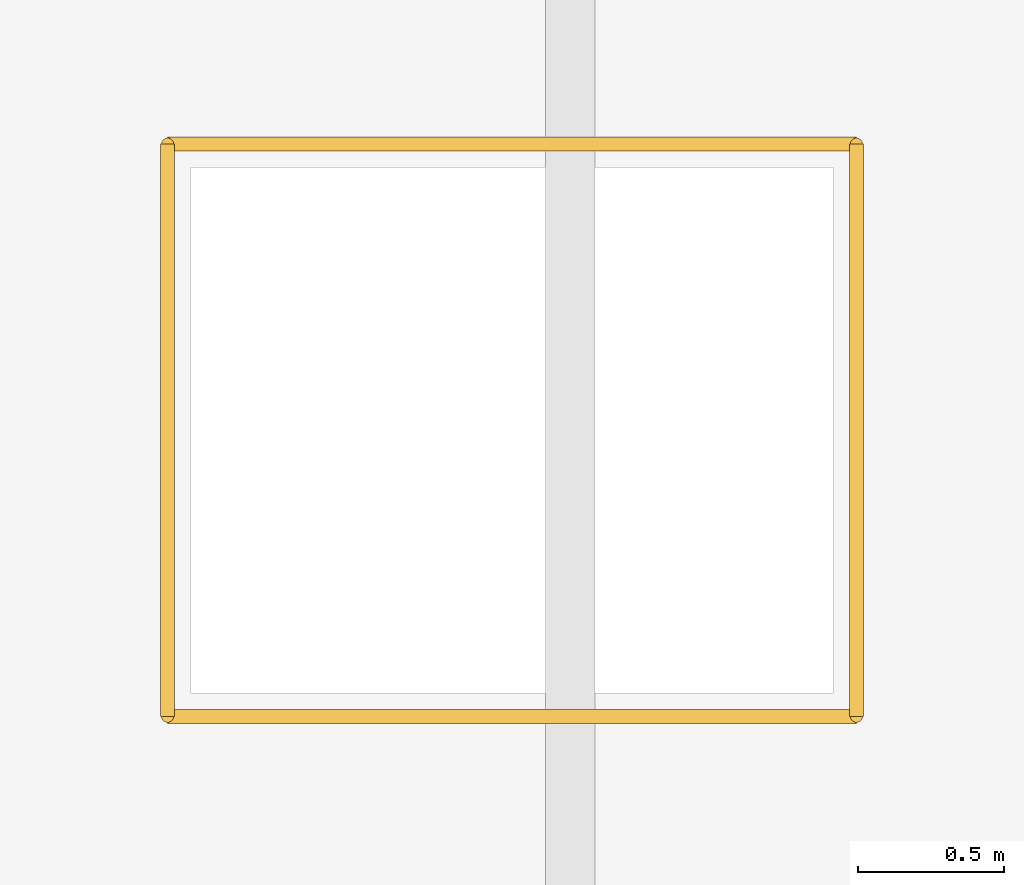
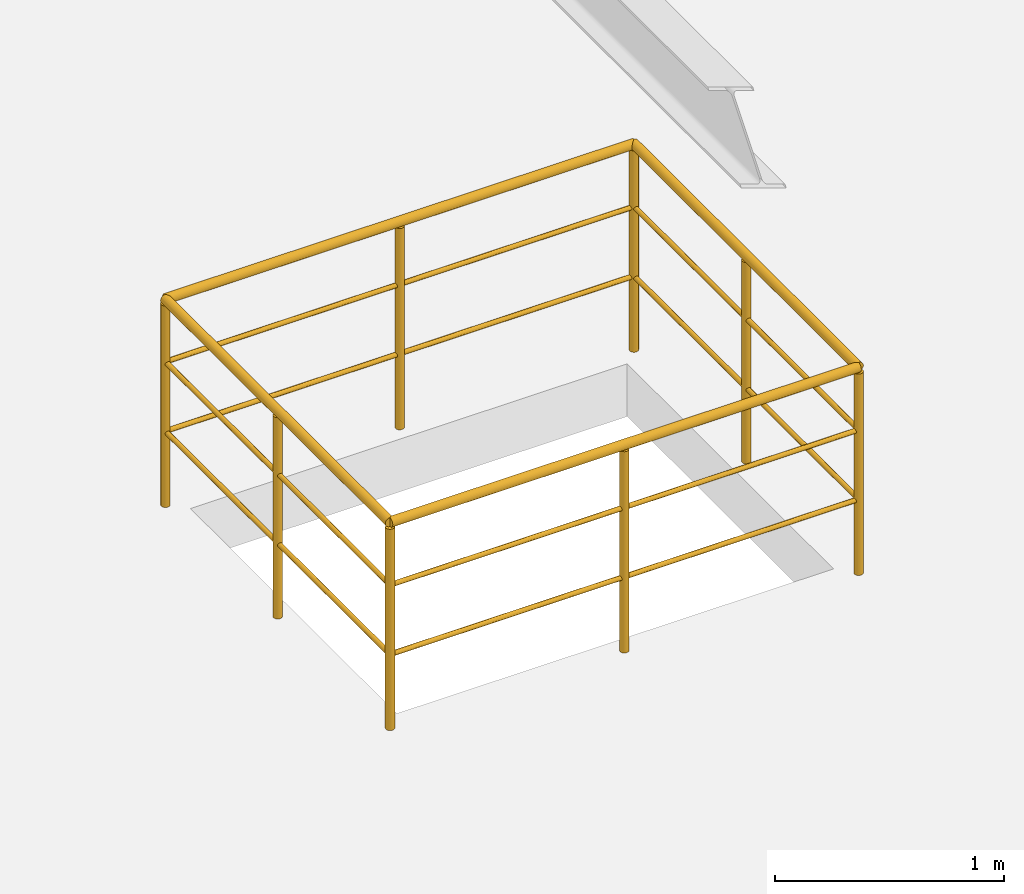
# One storey, part 67 of 74: 4 railings.
"""IFC4 building model written with IfcOpenShell, lengths in metres."""

from ifc_helpers import new_model, si_unit, direction, frame, origin, origin_2d, place, context, subcontext, project, spatial, circle, extrude, material, type_object, element, save


model = new_model("IFC4")

# Units and contexts
model_context = context("Model", 3, precision=1e-05, world=origin(), true_north=direction((0.0, 1.0)))
body_context = subcontext(model_context, "Body", "Model", "MODEL_VIEW")
ifc_project = project(units=[si_unit("LENGTHUNIT", "METRE"), si_unit("AREAUNIT", "SQUARE_METRE"), si_unit("VOLUMEUNIT", "CUBIC_METRE"), si_unit("PLANEANGLEUNIT", "RADIAN"), si_unit("MASSUNIT", "GRAM", prefix="KILO")], contexts=[model_context])

# Site, building, storey
site_placement = place(None, origin())
site = spatial("IfcSite", under=ifc_project, at=site_placement, CompositionType="ELEMENT")
building_placement = place(site_placement, origin())
building = spatial("IfcBuilding", under=site, at=building_placement, Name="Clarverna Civic Hall", CompositionType="ELEMENT")
storey_placement = place(building_placement, frame((0.0, 0.0, 9.60009765625)))
storey = spatial("IfcBuildingStorey", under=building, at=storey_placement, Name="L02", CompositionType="ELEMENT", Elevation=9.60009765625)

# Railings
ifc_material = material(Name="Anodised Bronze Architectural Balustrade")
railing_type = type_object("IfcRailingType", Name="GR-02", PredefinedType="BALUSTRADE", material=ifc_material)
railing_1_placement = place(storey_placement, frame((60.719970703125, 74.719970703125, 0.0)))
element("IfcRailing", 1, at=railing_1_placement, inside=storey, type_object=railing_type, Name="GR-02-236", PredefinedType="BALUSTRADE", context=body_context, shape_type="SweptSolid", body=[
    extrude(circle(Radius=0.02392578125, at=origin_2d()), frame((0.0, 0.0, 1.09619140625), z_axis=(0.0, 1.0, 0.0), x_axis=(-1.0, 0.0, 0.0)), (0.0, 0.0, 1.0), 1.9599609375),
    extrude(circle(Radius=0.011962890625, at=origin_2d()), frame((0.0, 0.0, 0.39208984375), z_axis=(0.0, 1.0, 0.0), x_axis=(-1.0, 0.0, 0.0)), (0.0, 0.0, 1.0), 1.9599609375),
    extrude(circle(Radius=0.011962890625, at=origin_2d()), frame((0.0, 0.0, 0.76171875), z_axis=(0.0, 1.0, 0.0), x_axis=(-1.0, 0.0, 0.0)), (0.0, 0.0, 1.0), 1.9599609375),
    extrude(circle(Radius=0.02099609375, at=origin_2d()), origin(), (0.0, 0.0, 1.0), 1.072021484375),
    extrude(circle(Radius=0.02099609375, at=origin_2d()), frame((0.0, 0.97998046875, 0.0)), (0.0, 0.0, 1.0), 1.072021484375),
    extrude(circle(Radius=0.02099609375, at=origin_2d()), frame((0.0, 1.9599609375, 0.0)), (0.0, 0.0, 1.0), 1.072021484375),
])
railing_2_placement = place(storey_placement, frame((60.719970703125, 76.679931640625, 0.0)))
element("IfcRailing", 2, at=railing_2_placement, inside=storey, type_object=railing_type, Name="GR-02-237", PredefinedType="BALUSTRADE", context=body_context, shape_type="SweptSolid", body=[
    extrude(circle(Radius=0.02392578125, at=origin_2d()), frame((0.0, 0.0, 1.09619140625), z_axis=(1.0, 0.0, 0.0), x_axis=(0.0, 1.0, 0.0)), (0.0, 0.0, 1.0), 2.360107421875),
    extrude(circle(Radius=0.011962890625, at=origin_2d()), frame((0.0, 0.0, 0.39208984375), z_axis=(1.0, 0.0, 0.0), x_axis=(0.0, 1.0, 0.0)), (0.0, 0.0, 1.0), 2.360107421875),
    extrude(circle(Radius=0.011962890625, at=origin_2d()), frame((0.0, 0.0, 0.76171875), z_axis=(1.0, 0.0, 0.0), x_axis=(0.0, 1.0, 0.0)), (0.0, 0.0, 1.0), 2.360107421875),
    extrude(circle(Radius=0.02099609375, at=origin_2d()), origin(), (0.0, 0.0, 1.0), 1.072021484375),
    extrude(circle(Radius=0.02099609375, at=origin_2d()), frame((1.18017578125, 0.0, 0.0)), (0.0, 0.0, 1.0), 1.072021484375),
    extrude(circle(Radius=0.02099609375, at=origin_2d()), frame((2.360107421875, 0.0, 0.0)), (0.0, 0.0, 1.0), 1.072021484375),
])
railing_3_placement = place(storey_placement, frame((63.080078125, 76.679931640625, 0.0)))
element("IfcRailing", 3, at=railing_3_placement, inside=storey, type_object=railing_type, Name="GR-02-238", PredefinedType="BALUSTRADE", context=body_context, shape_type="SweptSolid", body=[
    extrude(circle(Radius=0.02392578125, at=origin_2d()), frame((0.0, 0.0, 1.09619140625), z_axis=(0.0, -1.0, 0.0), x_axis=(1.0, 0.0, 0.0)), (0.0, 0.0, 1.0), 1.9599609375),
    extrude(circle(Radius=0.011962890625, at=origin_2d()), frame((0.0, 0.0, 0.39208984375), z_axis=(0.0, -1.0, 0.0), x_axis=(1.0, 0.0, 0.0)), (0.0, 0.0, 1.0), 1.9599609375),
    extrude(circle(Radius=0.011962890625, at=origin_2d()), frame((0.0, 0.0, 0.76171875), z_axis=(0.0, -1.0, 0.0), x_axis=(1.0, 0.0, 0.0)), (0.0, 0.0, 1.0), 1.9599609375),
    extrude(circle(Radius=0.02099609375, at=origin_2d()), origin(), (0.0, 0.0, 1.0), 1.072021484375),
    extrude(circle(Radius=0.02099609375, at=origin_2d()), frame((0.0, -0.97998046875, 0.0)), (0.0, 0.0, 1.0), 1.072021484375),
    extrude(circle(Radius=0.02099609375, at=origin_2d()), frame((0.0, -1.9599609375, 0.0)), (0.0, 0.0, 1.0), 1.072021484375),
])
railing_4_placement = place(storey_placement, frame((63.080078125, 74.719970703125, 0.0)))
element("IfcRailing", 4, at=railing_4_placement, inside=storey, type_object=railing_type, Name="GR-02-239", PredefinedType="BALUSTRADE", context=body_context, shape_type="SweptSolid", body=[
    extrude(circle(Radius=0.02392578125, at=origin_2d()), frame((0.0, 0.0, 1.09619140625), z_axis=(-1.0, 0.0, 0.0), x_axis=(0.0, -1.0, 0.0)), (0.0, 0.0, 1.0), 2.360107421875),
    extrude(circle(Radius=0.011962890625, at=origin_2d()), frame((0.0, 0.0, 0.39208984375), z_axis=(-1.0, 0.0, 0.0), x_axis=(0.0, -1.0, 0.0)), (0.0, 0.0, 1.0), 2.360107421875),
    extrude(circle(Radius=0.011962890625, at=origin_2d()), frame((0.0, 0.0, 0.76171875), z_axis=(-1.0, 0.0, 0.0), x_axis=(0.0, -1.0, 0.0)), (0.0, 0.0, 1.0), 2.360107421875),
    extrude(circle(Radius=0.02099609375, at=origin_2d()), origin(), (0.0, 0.0, 1.0), 1.072021484375),
    extrude(circle(Radius=0.02099609375, at=origin_2d()), frame((-1.18017578125, 0.0, 0.0)), (0.0, 0.0, 1.0), 1.072021484375),
    extrude(circle(Radius=0.02099609375, at=origin_2d()), frame((-2.360107421875, 0.0, 0.0)), (0.0, 0.0, 1.0), 1.072021484375),
])

save(model, "model.ifc")
